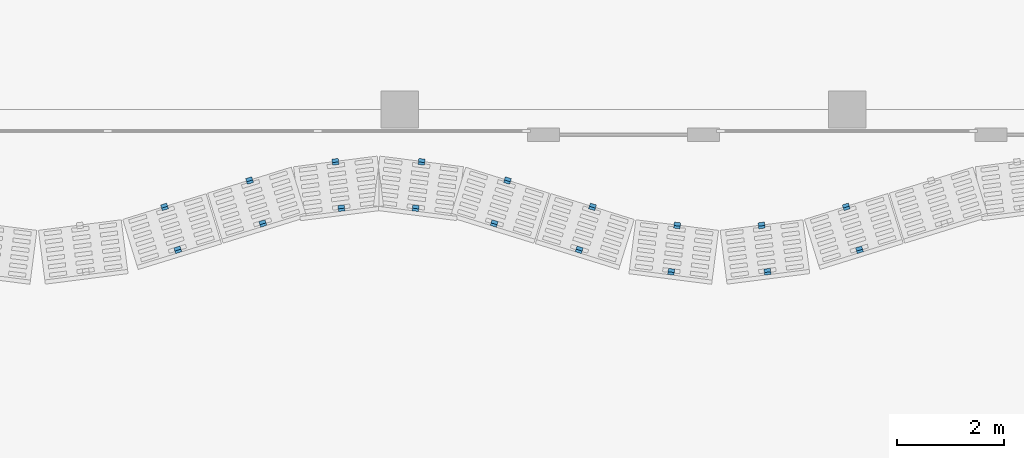
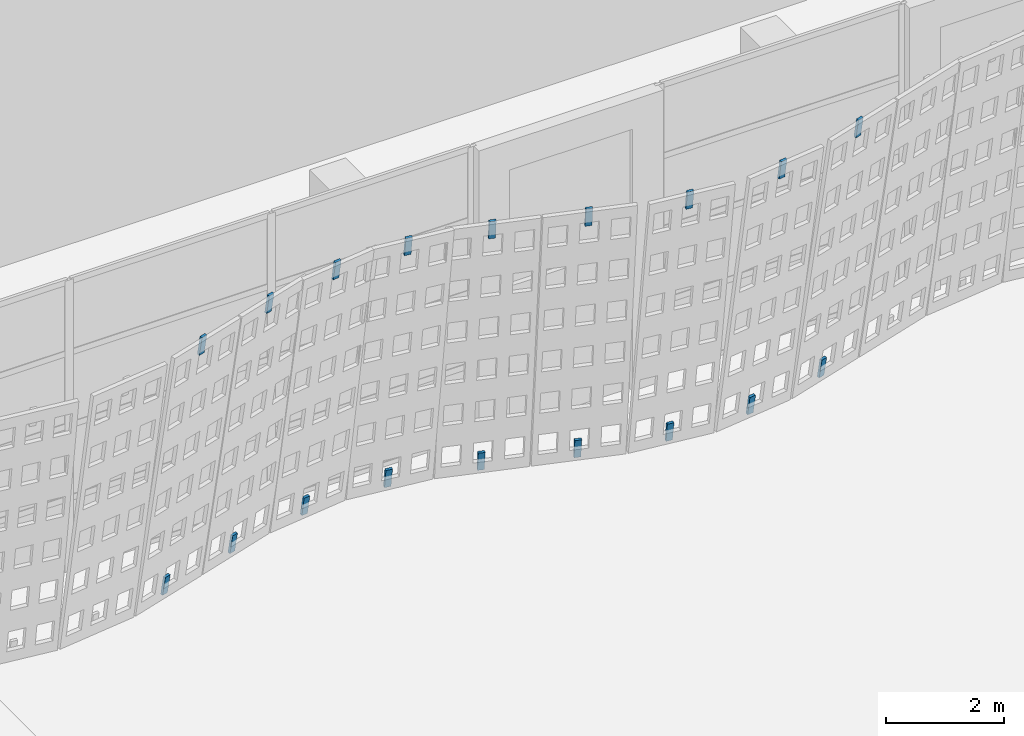
# One storey, part 145 of 210: 18 discrete accessories.
"""IFC4 building model written with IfcOpenShell, lengths in metres."""

from ifc_helpers import new_model, si_unit, direction, frame, origin, origin_2d, place, context, subcontext, project, spatial, rectangle, extrude, material, material_profile, profile_set, type_object, element, save


model = new_model("IFC4")

# Units and contexts
model_context = context("Model", 3, precision=1e-05, world=origin(), true_north=direction((0.0, 1.0)))
body_context = subcontext(model_context, "Body", "Model", "MODEL_VIEW")
ifc_project = project(units=[si_unit("LENGTHUNIT", "METRE"), si_unit("AREAUNIT", "SQUARE_METRE"), si_unit("VOLUMEUNIT", "CUBIC_METRE"), si_unit("PLANEANGLEUNIT", "RADIAN"), si_unit("MASSUNIT", "GRAM", prefix="KILO")], contexts=[model_context])

# Site, building, storey
site_placement = place(None, origin())
site = spatial("IfcSite", under=ifc_project, at=site_placement, CompositionType="ELEMENT")
building_placement = place(site_placement, origin())
building = spatial("IfcBuilding", under=site, at=building_placement, Name="Rain Tree Exposition and Congress Centre", CompositionType="ELEMENT")
storey_placement = place(building_placement, origin())
storey = spatial("IfcBuildingStorey", under=building, at=storey_placement, Name="L00", CompositionType="ELEMENT", Elevation=0.0)

# Discrete accessories
ifc_material = material(Name="Steel S355J2", Category="steel")
ifc_material_profile = material_profile(ifc_material, rectangle(XDim=0.1201171875, YDim=0.050048828125, at=origin_2d()), Name="Flat bar 120x50")
ifc_profile_set = profile_set([ifc_material_profile], Name="Steel S355J2")
discrete_accessory_type = type_object("IfcDiscreteAccessoryType", Name="Screen bracket 120x50", PredefinedType="BRACKET", material=ifc_profile_set)
for number, where, z_axis, x_axis, name in (
    (1, (239.422119140625, 72.99609375, 5.35107421875), (0.046392159231, -0.149553671205, 0.987664653104), (0.955102182504, 0.296276595389, 0.0), "concourse/bracket/L00/1501t"),
    (2, (239.172607421875, 73.802490234375, 0.00390625), (0.046396386353, -0.148956819344, 0.987754646309), (0.954758063246, 0.297383659044, 0.0), "concourse/bracket/L00/1501b"),
    (3, (241.018798828125, 73.489990234375, 5.35107421875), (0.046396386353, -0.148956819344, 0.987754646309), (0.954758063246, 0.297383659044, 0.0), "concourse/bracket/L00/1511t"),
    (4, (240.769287109375, 74.29638671875, 0.00390625), (0.046396386353, -0.148956819344, 0.987754646309), (0.954758063246, 0.297383659044, 0.0), "concourse/bracket/L00/1511b"),
):
    element("IfcDiscreteAccessory", number, at=place(storey_placement, frame(where, z_axis=z_axis, x_axis=x_axis)), inside=storey, type_object=discrete_accessory_type, Name=name, PredefinedType="BRACKET", context=body_context, shape_type="SweptSolid", body=[
        extrude(rectangle(XDim=0.1201171875, YDim=0.050048828125, at=origin_2d()), origin(), (0.0, 0.0, 1.0), 0.39990234375),
    ])
for number, where, z_axis, x_axis, name in (
    (5, (242.498291015625, 73.781005859375, 5.351318359375), (0.020139379294, -0.160504750127, 0.986829585384), (0.992219726556, 0.124499053142, 0.0), "concourse/bracket/L00/1521t"),
    (6, (242.38671875, 74.650390625, 0.00390625), (0.020749404626, -0.160502747552, 0.986817272972), (0.991746960377, 0.128210633661, 0.0), "concourse/bracket/L00/1521b"),
    (7, (243.90185546875, 73.781005859375, 5.351318359375), (-0.020749404626, -0.160502747552, 0.986817272972), (0.991746960377, -0.128210633661, 0.0), "concourse/bracket/L00/1531t"),
    (8, (244.01318359375, 74.650390625, 0.00390625), (-0.020749404626, -0.160502747552, 0.986817272972), (0.991746960377, -0.128210633661, 0.0), "concourse/bracket/L00/1531b"),
):
    element("IfcDiscreteAccessory", number, at=place(storey_placement, frame(where, z_axis=z_axis, x_axis=x_axis)), inside=storey, type_object=discrete_accessory_type, Name=name, PredefinedType="BRACKET", context=body_context, shape_type="SweptSolid", body=[
        extrude(rectangle(XDim=0.1201171875, YDim=0.050048828125, at=origin_2d()), origin(), (0.0, 0.0, 1.0), 0.400146484375),
    ])
for number, where, z_axis, x_axis, name in (
    (9, (245.381103515625, 73.489990234375, 5.35107421875), (-0.045787195948, -0.148961010819, 0.987782440593), (0.955863671221, -0.293810554678, 0.0), "concourse/bracket/L00/1541t"),
    (10, (245.630615234375, 74.29638671875, 0.00390625), (-0.045787195948, -0.148961010819, 0.987782440593), (0.955863671221, -0.293810554678, 0.0), "concourse/bracket/L00/1541b"),
    (11, (246.977783203125, 72.99609375, 5.35107421875), (-0.045783024094, -0.149557878708, 0.987692439791), (0.956199955507, -0.292714272094, 0.0), "concourse/bracket/L00/1551t"),
    (12, (247.227294921875, 73.802490234375, 0.00390625), (-0.045787195948, -0.148961010819, 0.987782440593), (0.955863671221, -0.293810554678, 0.0), "concourse/bracket/L00/1551b"),
):
    element("IfcDiscreteAccessory", number, at=place(storey_placement, frame(where, z_axis=z_axis, x_axis=x_axis)), inside=storey, type_object=discrete_accessory_type, Name=name, PredefinedType="BRACKET", context=body_context, shape_type="SweptSolid", body=[
        extrude(rectangle(XDim=0.1201171875, YDim=0.050048828125, at=origin_2d()), origin(), (0.0, 0.0, 1.0), 0.39990234375),
    ])
for number, where, z_axis, x_axis, name in (
    (13, (248.7001953125, 72.586181640625, 5.351318359375), (-0.020749404626, -0.160502747552, 0.986817272972), (0.991746960377, -0.128210633661, 0.0), "concourse/bracket/L00/1561t"),
    (14, (248.8115234375, 73.45556640625, 0.00390625), (-0.020749404626, -0.160502747552, 0.986817272972), (0.991746960377, -0.128210633661, 0.0), "concourse/bracket/L00/1561b"),
    (15, (250.5, 72.586181640625, 5.351318359375), (0.020139379294, -0.160504750127, 0.986829585384), (0.992219726556, 0.124499053142, 0.0), "concourse/bracket/L00/1571t"),
    (16, (250.388427734375, 73.45556640625, 0.00390625), (0.020749404626, -0.160502747552, 0.986817272972), (0.991746960377, 0.128210633661, 0.0), "concourse/bracket/L00/1571b"),
):
    element("IfcDiscreteAccessory", number, at=place(storey_placement, frame(where, z_axis=z_axis, x_axis=x_axis)), inside=storey, type_object=discrete_accessory_type, Name=name, PredefinedType="BRACKET", context=body_context, shape_type="SweptSolid", body=[
        extrude(rectangle(XDim=0.1201171875, YDim=0.050048828125, at=origin_2d()), origin(), (0.0, 0.0, 1.0), 0.400146484375),
    ])
for number, where, z_axis, x_axis, name in (
    (17, (252.22216796875, 72.99609375, 5.35107421875), (0.045783024094, -0.149557878708, 0.987692439791), (0.956199955507, 0.292714272094, 0.0), "concourse/bracket/L00/1581t"),
    (18, (251.97265625, 73.802490234375, 0.00390625), (0.046396386353, -0.148956819344, 0.987754646309), (0.954758063246, 0.297383659044, 0.0), "concourse/bracket/L00/1581b"),
):
    element("IfcDiscreteAccessory", number, at=place(storey_placement, frame(where, z_axis=z_axis, x_axis=x_axis)), inside=storey, type_object=discrete_accessory_type, Name=name, PredefinedType="BRACKET", context=body_context, shape_type="SweptSolid", body=[
        extrude(rectangle(XDim=0.1201171875, YDim=0.050048828125, at=origin_2d()), origin(), (0.0, 0.0, 1.0), 0.39990234375),
    ])

save(model, "model.ifc")
